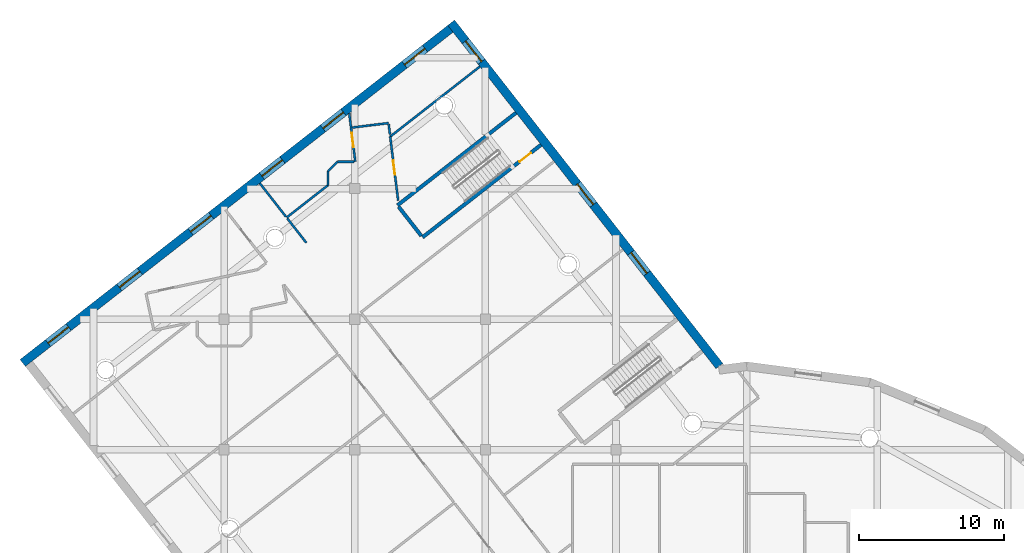
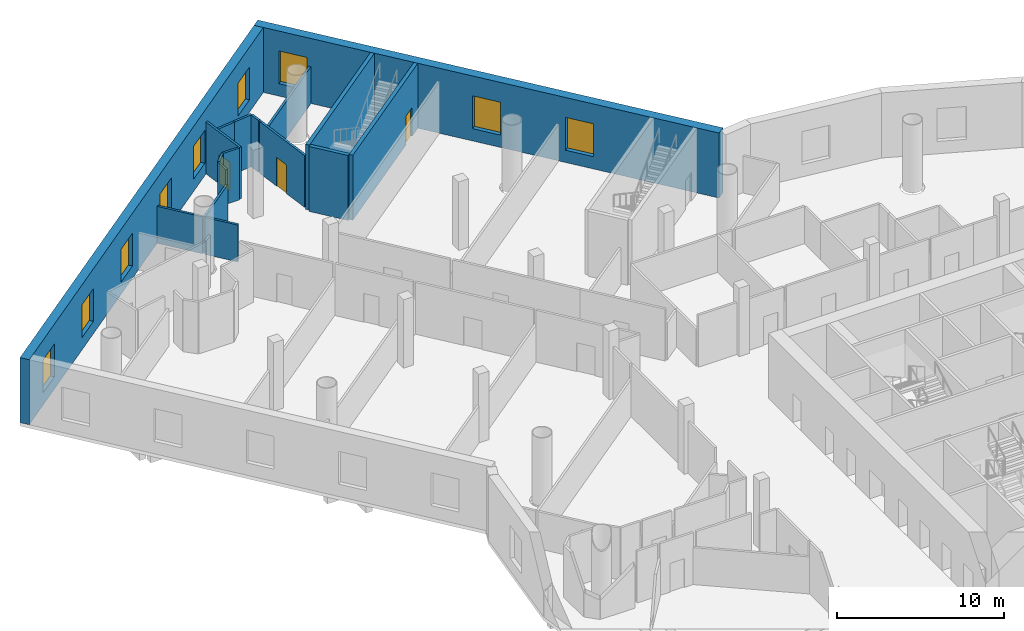
# One storey, part 11 of 22: 17 walls, 9 windows, 3 doors, 12 openings.
"""IFC4 building model written with IfcOpenShell, lengths in metres."""

from ifc_helpers import new_model, si_unit, direction, frame, frame_2d, origin, place, context, subcontext, project, spatial, rectangle, extrude, material, layer, layer_set, type_object, element, fill, save


model = new_model("IFC4")

# Units and contexts
model_context = context("Model", 3, precision=1e-05, world=origin(), true_north=direction((0.0, 1.0)))
body_context = subcontext(model_context, "Body", "Model", "MODEL_VIEW")
ifc_project = project(units=[si_unit("LENGTHUNIT", "METRE"), si_unit("AREAUNIT", "SQUARE_METRE"), si_unit("VOLUMEUNIT", "CUBIC_METRE"), si_unit("PLANEANGLEUNIT", "RADIAN"), si_unit("MASSUNIT", "GRAM", prefix="KILO")], contexts=[model_context])

# Site, building, storey
site_placement = place(None, origin())
site = spatial("IfcSite", under=ifc_project, at=site_placement, CompositionType="ELEMENT")
building_placement = place(site_placement, origin())
building = spatial("IfcBuilding", under=site, at=building_placement, Name="Tarsis Ring Headquarters", CompositionType="ELEMENT")
storey_placement = place(building_placement, frame((0.0, 0.0, 25.0)))
storey = spatial("IfcBuildingStorey", under=building, at=storey_placement, Name="L04", CompositionType="ELEMENT", Elevation=25.0)

# Walls
ifc_material_1 = material(Name="Plasterboard partition")
ifc_layer_1 = layer(ifc_material_1, 0.14990234375)
ifc_layer_set_1 = layer_set([ifc_layer_1], Name="PO-PW150")
wall_type_1 = type_object("IfcWallType", Name="PO-PW150", PredefinedType="PARTITIONING", material=ifc_layer_set_1)
wall_1_placement = place(storey_placement, frame((-18.376953125, 53.407958984375, 0.0), z_axis=(0.0, 0.0, 1.0), x_axis=(-0.787999361377, -0.615676056436, 0.0)))
element("IfcWall", 1, at=wall_1_placement, inside=storey, type_object=wall_type_1, Name="L04 partition wall 38", PredefinedType="PARTITIONING", context=body_context, shape_type="SweptSolid", body=[
    extrude(rectangle(XDim=7.84326171875, YDim=0.14990234375, at=frame_2d((3.921630859375, 0.0))), origin(), (0.0, 0.0, 1.0), 2.699951171875),
])
wall_2_placement = place(storey_placement, frame((-31.6943359375, 43.003173828125, 0.0), z_axis=(0.0, 0.0, 1.0), x_axis=(0.787977201516, 0.615704417631, 0.0)))
element("IfcWall", 2, at=wall_2_placement, inside=storey, type_object=wall_type_1, Name="L04 partition wall 85", PredefinedType="PARTITIONING", context=body_context, shape_type="SweptSolid", body=[
    extrude(rectangle(XDim=3.609619140625, YDim=0.14990234375, at=frame_2d((1.8046875, 0.0))), origin(), (0.0, 0.0, 1.0), 2.699951171875),
])
wall_3_placement = place(storey_placement, frame((-31.744384765625, 43.065673828125, 0.0), z_axis=(0.0, 0.0, 1.0), x_axis=(-0.615629439057, 0.788035782034, 0.0)))
element("IfcWall", 3, at=wall_3_placement, inside=storey, type_object=wall_type_1, Name="L04 partition wall 89", PredefinedType="PARTITIONING", context=body_context, shape_type="SweptSolid", body=[
    extrude(rectangle(XDim=2.919921875, YDim=0.14990234375, at=frame_2d((1.4599609375, 0.0))), origin(), (0.0, 0.0, 1.0), 2.699951171875),
])
wall_4_placement = place(storey_placement, frame((-30.337158203125, 41.264404296875, 0.0), z_axis=(0.0, 0.0, 1.0), x_axis=(-0.61557717946, 0.788076605495, 0.0)))
element("IfcWall", 4, at=wall_4_placement, inside=storey, type_object=wall_type_1, Name="L04 partition wall 112", PredefinedType="PARTITIONING", context=body_context, shape_type="SweptSolid", body=[
    extrude(rectangle(XDim=2.125732421875, YDim=0.14990234375, at=frame_2d((1.06298828125, 0.0))), origin(), (0.0, 0.0, 1.0), 2.699951171875),
])

# Wall, opening, door
ifc_layer_2 = layer(ifc_material_1, 0.14990234375)
ifc_layer_set_2 = layer_set([ifc_layer_2], Name="PO-PW150R-3783")
wall_type_2 = type_object("IfcWallType", Name="PO-PW150R-3783", PredefinedType="PARTITIONING", material=ifc_layer_set_2)
wall_5_placement = place(storey_placement, frame((-24.557373046875, 48.5791015625, 0.0), z_axis=(0.0, 0.0, 1.0), x_axis=(0.123176310789, -0.992384802615, 0.0)))
wall_5 = element("IfcWall", 5, at=wall_5_placement, inside=storey, type_object=wall_type_2, Name="L04 partition wall 72", PredefinedType="PARTITIONING", context=body_context, shape_type="SweptSolid", body=[
    extrude(rectangle(XDim=4.44580078125, YDim=0.14990234375, at=frame_2d((2.222900390625, 0.0))), origin(), (0.0, 0.0, 1.0), 3.782958984375),
])
opening_1_placement = place(wall_5_placement, frame((1.65673828125, 0.0, 0.0)))
opening_1 = element("IfcOpeningElement", 6, at=opening_1_placement, cuts=wall_5, Name="Opening PO-D1", PredefinedType="OPENING", context=body_context, shape_type="SweptSolid", body=[
    extrude(rectangle(XDim=1.0, YDim=2.10009765625, at=frame_2d((0.5, 1.050048828125))), frame((0.0, 0.0849609375, 0.0), z_axis=(0.0, -1.0, 0.0), x_axis=(1.0, 0.0, 0.0)), (0.0, 0.0, 1.0), 0.169921875),
])
ifc_material_2 = material(Name="Timber door", Category="wood")
door_type_1 = type_object("IfcDoorType", Name="PO-D1000", OperationType="NOTDEFINED", PredefinedType="DOOR", material=ifc_material_2)
door_1_placement = place(opening_1_placement, origin())
door_1 = element("IfcDoor", 7, at=door_1_placement, inside=storey, type_object=door_type_1, Name="Changing room door", OperationType="SINGLE_SWING_LEFT", OverallHeight=2.10009765625, OverallWidth=1.0, PredefinedType="DOOR", context=body_context, shape_type="SweptSolid", body=[
    extrude(rectangle(XDim=1.0, YDim=2.10009765625, at=frame_2d((0.5, 1.050048828125))), frame((0.0, 0.02490234375, 0.0), z_axis=(0.0, -1.0, 0.0), x_axis=(1.0, 0.0, 0.0)), (0.0, 0.0, 1.0), 0.050048828125),
])
fill(opening_1, door_1)

wall_6_placement = place(storey_placement, frame((-26.962646484375, 46.85009765625, 0.0), z_axis=(0.0, 0.0, 1.0), x_axis=(-0.123193829967, 0.992382627951, 0.0)))
wall_6 = element("IfcWall", 8, at=wall_6_placement, inside=storey, type_object=wall_type_2, Name="L04 partition wall 86", PredefinedType="PARTITIONING", context=body_context, shape_type="SweptSolid", body=[
    extrude(rectangle(XDim=3.359130859375, YDim=0.14990234375, at=frame_2d((1.6796875, 0.0))), origin(), (0.0, 0.0, 1.0), 3.782958984375),
])
opening_2_placement = place(wall_6_placement, frame((1.017578125, 0.0, 0.0)))
opening_2 = element("IfcOpeningElement", 9, at=opening_2_placement, cuts=wall_6, Name="Opening PO-D1", PredefinedType="OPENING", context=body_context, shape_type="SweptSolid", body=[
    extrude(rectangle(XDim=1.0, YDim=2.10009765625, at=frame_2d((0.5, 1.050048828125))), frame((0.0, 0.0849609375, 0.0), z_axis=(0.0, -1.0, 0.0), x_axis=(1.0, 0.0, 0.0)), (0.0, 0.0, 1.0), 0.169921875),
])
door_2_placement = place(opening_2_placement, origin())
door_2 = element("IfcDoor", 10, at=door_2_placement, inside=storey, type_object=door_type_1, Name="Fitness office door", OperationType="SINGLE_SWING_RIGHT", OverallHeight=2.10009765625, OverallWidth=1.0, PredefinedType="DOOR", context=body_context, shape_type="SweptSolid", body=[
    extrude(rectangle(XDim=1.0, YDim=2.10009765625, at=frame_2d((0.5, 1.050048828125))), frame((0.0, 0.02490234375, 0.0), z_axis=(0.0, -1.0, 0.0), x_axis=(1.0, 0.0, 0.0)), (0.0, 0.0, 1.0), 0.050048828125),
])
fill(opening_2, door_2)

# Walls
wall_7_placement = place(storey_placement, frame((-27.174072265625, 49.2021484375, 0.0), z_axis=(0.0, 0.0, 1.0), x_axis=(0.99237302269, 0.123271180072, 0.0)))
element("IfcWall", 11, at=wall_7_placement, inside=storey, type_object=wall_type_2, Name="L04 partition wall 127", PredefinedType="PARTITIONING", context=body_context, shape_type="SweptSolid", body=[
    extrude(rectangle(XDim=1.219970703125, YDim=0.14990234375, at=frame_2d((0.60986328125, 0.0))), origin(), (0.0, 0.0, 1.0), 3.782958984375),
])
wall_8_placement = place(storey_placement, frame((-25.96337890625, 49.3525390625, 0.0), z_axis=(0.0, 0.0, 1.0), x_axis=(0.992381544958, 0.123202553651, 0.0)))
element("IfcWall", 12, at=wall_8_placement, inside=storey, type_object=wall_type_2, Name="L04 partition wall 128", PredefinedType="PARTITIONING", context=body_context, shape_type="SweptSolid", body=[
    extrude(rectangle(XDim=1.300048828125, YDim=0.14990234375, at=frame_2d((0.64990234375, 0.0))), origin(), (0.0, 0.0, 1.0), 3.782958984375),
])
wall_9_placement = place(storey_placement, frame((-28.199951171875, 46.85009765625, 0.0), z_axis=(0.0, 0.0, 1.0), x_axis=(1.0, 0.0, 0.0)))
element("IfcWall", 13, at=wall_9_placement, inside=storey, type_object=wall_type_2, Name="L04 partition wall 131", PredefinedType="PARTITIONING", context=body_context, shape_type="SweptSolid", body=[
    extrude(rectangle(XDim=1.147216796875, YDim=0.14990234375, at=frame_2d((0.57373046875, 0.0))), origin(), (0.0, 0.0, 1.0), 3.782958984375),
])
wall_10_placement = place(storey_placement, frame((-28.85009765625, 45.2255859375, 0.0), z_axis=(0.0, 0.0, 1.0), x_axis=(0.0, 1.0, 0.0)))
element("IfcWall", 14, at=wall_10_placement, inside=storey, type_object=wall_type_2, Name="L04 partition wall 142", PredefinedType="PARTITIONING", context=body_context, shape_type="SweptSolid", body=[
    extrude(rectangle(XDim=0.974365234375, YDim=0.14990234375, at=frame_2d((0.4873046875, 0.0))), origin(), (0.0, 0.0, 1.0), 3.782958984375),
])
wall_11_placement = place(storey_placement, frame((-24.66357421875, 49.433349609375, 0.0), z_axis=(0.0, 0.0, 1.0), x_axis=(0.123284363189, -0.992371385013, 0.0)))
element("IfcWall", 15, at=wall_11_placement, inside=storey, type_object=wall_type_2, Name="L04 partition wall 144", PredefinedType="PARTITIONING", context=body_context, shape_type="SweptSolid", body=[
    extrude(rectangle(XDim=0.720947265625, YDim=0.14990234375, at=frame_2d((0.3603515625, 0.0))), origin(), (0.0, 0.0, 1.0), 3.782958984375),
])
wall_12_placement = place(storey_placement, frame((-28.85009765625, 46.199951171875, 0.0), z_axis=(0.0, 0.0, 1.0), x_axis=(0.707106781187, 0.707106781187, 0.0)))
element("IfcWall", 16, at=wall_12_placement, inside=storey, type_object=wall_type_2, Name="L04 partition wall 146", PredefinedType="PARTITIONING", context=body_context, shape_type="SweptSolid", body=[
    extrude(rectangle(XDim=0.91943359375, YDim=0.14990234375, at=frame_2d((0.459716796875, 0.0))), origin(), (0.0, 0.0, 1.0), 3.782958984375),
])

# Wall, opening, door
ifc_material_3 = material(Name="Concrete C40/50", Category="concrete")
ifc_layer_3 = layer(ifc_material_3, 0.25)
ifc_layer_set_3 = layer_set([ifc_layer_3], Name="PO-W250")
wall_type_3 = type_object("IfcWallType", Name="PO-W250", PredefinedType="SOLIDWALL", material=ifc_layer_set_3)
wall_13_placement = place(storey_placement, frame((-14.163818359375, 48.015380859375, 0.0), z_axis=(0.0, 0.0, 1.0), x_axis=(-0.788278990398, -0.61531799364, 0.0)))
wall_13 = element("IfcWall", 17, at=wall_13_placement, inside=storey, type_object=wall_type_3, Name="L04 shaft wall 23", PredefinedType="SOLIDWALL", context=body_context, shape_type="SweptSolid", body=[
    extrude(rectangle(XDim=10.362060546875, YDim=0.25, at=frame_2d((5.18115234375, 0.0))), origin(), (0.0, 0.0, 1.0), 4.75),
])
opening_3_placement = place(wall_13_placement, frame((0.89697265625, 0.0, 0.0)))
opening_3 = element("IfcOpeningElement", 18, at=opening_3_placement, cuts=wall_13, Name="Opening PO-D3", PredefinedType="OPENING", context=body_context, shape_type="SweptSolid", body=[
    extrude(rectangle(XDim=1.0, YDim=2.10009765625, at=frame_2d((0.5, 1.050048828125))), frame((0.0, 0.135009765625, 0.0), z_axis=(0.0, -1.0, 0.0), x_axis=(1.0, 0.0, 0.0)), (0.0, 0.0, 1.0), 0.27001953125),
])
ifc_material_4 = material(Name="Steel fire door", Category="steel")
door_type_2 = type_object("IfcDoorType", Name="PO-D1000F", OperationType="SINGLE_SWING_LEFT", PredefinedType="DOOR", material=ifc_material_4)
door_3_placement = place(opening_3_placement, origin())
door_3 = element("IfcDoor", 19, at=door_3_placement, inside=storey, type_object=door_type_2, Name="Exit stair 4 door", OperationType="SINGLE_SWING_LEFT", OverallHeight=2.10009765625, OverallWidth=1.0, PredefinedType="DOOR", context=body_context, shape_type="SweptSolid", body=[
    extrude(rectangle(XDim=1.0, YDim=2.10009765625, at=frame_2d((0.5, 1.050048828125))), frame((0.0, 0.02490234375, 0.0), z_axis=(0.0, -1.0, 0.0), x_axis=(1.0, 0.0, 0.0)), (0.0, 0.0, 1.0), 0.050048828125),
])
fill(opening_3, door_3)

# Walls
wall_14_placement = place(storey_placement, frame((-24.054931640625, 43.8466796875, 0.0), z_axis=(0.0, 0.0, 1.0), x_axis=(0.788277592166, 0.615319784899, 0.0)))
element("IfcWall", 20, at=wall_14_placement, inside=storey, type_object=wall_type_3, Name="L04 shaft wall 24", PredefinedType="SOLIDWALL", context=body_context, shape_type="SweptSolid", body=[
    extrude(rectangle(XDim=10.36083984375, YDim=0.25, at=frame_2d((5.180419921875, 0.0))), origin(), (0.0, 0.0, 1.0), 4.75),
])
wall_15_placement = place(storey_placement, frame((-22.412109375, 41.741943359375, 0.0), z_axis=(0.0, 0.0, 1.0), x_axis=(-0.615283967859, 0.788305549197, 0.0)))
element("IfcWall", 21, at=wall_15_placement, inside=storey, type_object=wall_type_3, Name="L04 shaft wall 94", PredefinedType="SOLIDWALL", context=body_context, shape_type="SweptSolid", body=[
    extrude(rectangle(XDim=2.539794921875, YDim=0.25, at=frame_2d((1.27001953125, 0.0))), origin(), (0.0, 0.0, 1.0), 4.75),
])

# Wall, openings, windows
ifc_material_5 = material(Name="Concrete C60/75", Category="concrete")
ifc_layer_4 = layer(ifc_material_5, 0.60009765625)
ifc_layer_set_4 = layer_set([ifc_layer_4], Name="PO-W600")
wall_type_4 = type_object("IfcWallType", Name="PO-W600", PredefinedType="SOLIDWALL", material=ifc_layer_set_4)
wall_16_placement = place(storey_placement, frame((-1.87353515625, 32.77197265625, 0.0), z_axis=(0.0, 0.0, 1.0), x_axis=(-0.615664714742, 0.788008222687, 0.0)))
wall_16 = element("IfcWall", 22, at=wall_16_placement, inside=storey, type_object=wall_type_4, Name="L04 external wall 23", PredefinedType="SOLIDWALL", context=body_context, shape_type="SweptSolid", body=[
    extrude(rectangle(XDim=30.02197265625, YDim=0.60009765625, at=frame_2d((15.010986328125, 0.0))), origin(), (0.0, 0.0, 1.0), 4.75),
])
opening_4_placement = place(wall_16_placement, frame((8.106689453125, 0.0, 0.89990234375)))
opening_4 = element("IfcOpeningElement", 23, at=opening_4_placement, cuts=wall_16, Name="Opening PO-WN1", PredefinedType="OPENING", context=body_context, shape_type="SweptSolid", body=[
    extrude(rectangle(XDim=1.800048828125, YDim=2.39990234375, at=frame_2d((0.89990234375, 1.199951171875))), frame((0.0, 0.31005859375, 0.0), z_axis=(0.0, -1.0, 0.0), x_axis=(1.0, 0.0, 0.0)), (0.0, 0.0, 1.0), 0.6201171875),
])
opening_5_placement = place(wall_16_placement, frame((14.111083984375, 0.0, 0.89990234375)))
opening_5 = element("IfcOpeningElement", 24, at=opening_5_placement, cuts=wall_16, Name="Opening PO-WN1", PredefinedType="OPENING", context=body_context, shape_type="SweptSolid", body=[
    extrude(rectangle(XDim=1.800048828125, YDim=2.39990234375, at=frame_2d((0.89990234375, 1.199951171875))), frame((0.0, 0.31005859375, 0.0), z_axis=(0.0, -1.0, 0.0), x_axis=(1.0, 0.0, 0.0)), (0.0, 0.0, 1.0), 0.6201171875),
])
opening_6_placement = place(wall_16_placement, frame((26.61962890625, 0.0, 0.89990234375)))
opening_6 = element("IfcOpeningElement", 25, at=opening_6_placement, cuts=wall_16, Name="Opening PO-WN1", PredefinedType="OPENING", context=body_context, shape_type="SweptSolid", body=[
    extrude(rectangle(XDim=1.800048828125, YDim=2.39990234375, at=frame_2d((0.89990234375, 1.199951171875))), frame((0.0, 0.31005859375, 0.0), z_axis=(0.0, -1.0, 0.0), x_axis=(1.0, 0.0, 0.0)), (0.0, 0.0, 1.0), 0.6201171875),
])
ifc_material_6 = material(Name="Double glazing", Category="glass")
window_type = type_object("IfcWindowType", Name="PO-WN1800", PartitioningType="SINGLE_PANEL", PredefinedType="WINDOW", material=ifc_material_6)
window_1_placement = place(opening_4_placement, origin())
window_1 = element("IfcWindow", 26, at=window_1_placement, inside=storey, type_object=window_type, Name="L04 window 23.1", OverallHeight=2.39990234375, OverallWidth=1.800048828125, PartitioningType="SINGLE_PANEL", PredefinedType="WINDOW", context=body_context, shape_type="SweptSolid", body=[
    extrude(rectangle(XDim=1.800048828125, YDim=2.39990234375, at=frame_2d((0.89990234375, 1.199951171875))), frame((0.0, 0.030029296875, 0.0), z_axis=(0.0, -1.0, 0.0), x_axis=(1.0, 0.0, 0.0)), (0.0, 0.0, 1.0), 0.06005859375),
])
fill(opening_4, window_1)
window_2_placement = place(opening_5_placement, origin())
window_2 = element("IfcWindow", 27, at=window_2_placement, inside=storey, type_object=window_type, Name="L04 window 23.2", OverallHeight=2.39990234375, OverallWidth=1.800048828125, PartitioningType="SINGLE_PANEL", PredefinedType="WINDOW", context=body_context, shape_type="SweptSolid", body=[
    extrude(rectangle(XDim=1.800048828125, YDim=2.39990234375, at=frame_2d((0.89990234375, 1.199951171875))), frame((0.0, 0.030029296875, 0.0), z_axis=(0.0, -1.0, 0.0), x_axis=(1.0, 0.0, 0.0)), (0.0, 0.0, 1.0), 0.06005859375),
])
fill(opening_5, window_2)
window_3_placement = place(opening_6_placement, origin())
window_3 = element("IfcWindow", 28, at=window_3_placement, inside=storey, type_object=window_type, Name="L04 window 23.3", OverallHeight=2.39990234375, OverallWidth=1.800048828125, PartitioningType="SINGLE_PANEL", PredefinedType="WINDOW", context=body_context, shape_type="SweptSolid", body=[
    extrude(rectangle(XDim=1.800048828125, YDim=2.39990234375, at=frame_2d((0.89990234375, 1.199951171875))), frame((0.0, 0.030029296875, 0.0), z_axis=(0.0, -1.0, 0.0), x_axis=(1.0, 0.0, 0.0)), (0.0, 0.0, 1.0), 0.06005859375),
])
fill(opening_6, window_3)

wall_17_placement = place(storey_placement, frame((-20.40869140625, 56.00830078125, 0.0), z_axis=(0.0, 0.0, 1.0), x_axis=(-0.788010419186, -0.615661903365, 0.0)))
wall_17 = element("IfcWall", 29, at=wall_17_placement, inside=storey, type_object=wall_type_4, Name="L04 external wall 24", PredefinedType="SOLIDWALL", context=body_context, shape_type="SweptSolid", body=[
    extrude(rectangle(XDim=37.39990234375, YDim=0.60009765625, at=frame_2d((18.699951171875, 0.0))), origin(), (0.0, 0.0, 1.0), 4.75),
])
opening_7_placement = place(wall_17_placement, frame((2.216552734375, 0.0, 0.89990234375)))
opening_7 = element("IfcOpeningElement", 30, at=opening_7_placement, cuts=wall_17, Name="Opening PO-WN1", PredefinedType="OPENING", context=body_context, shape_type="SweptSolid", body=[
    extrude(rectangle(XDim=1.800048828125, YDim=2.39990234375, at=frame_2d((0.89990234375, 1.199951171875))), frame((0.0, 0.31005859375, 0.0), z_axis=(0.0, -1.0, 0.0), x_axis=(1.0, 0.0, 0.0)), (0.0, 0.0, 1.0), 0.6201171875),
])
opening_8_placement = place(wall_17_placement, frame((9.35009765625, 0.0, 0.89990234375)))
opening_8 = element("IfcOpeningElement", 31, at=opening_8_placement, cuts=wall_17, Name="Opening PO-WN1", PredefinedType="OPENING", context=body_context, shape_type="SweptSolid", body=[
    extrude(rectangle(XDim=1.800048828125, YDim=2.39990234375, at=frame_2d((0.89990234375, 1.199951171875))), frame((0.0, 0.31005859375, 0.0), z_axis=(0.0, -1.0, 0.0), x_axis=(1.0, 0.0, 0.0)), (0.0, 0.0, 1.0), 0.6201171875),
])
opening_9_placement = place(wall_17_placement, frame((14.683349609375, 0.0, 0.89990234375)))
opening_9 = element("IfcOpeningElement", 32, at=opening_9_placement, cuts=wall_17, Name="Opening PO-WN1", PredefinedType="OPENING", context=body_context, shape_type="SweptSolid", body=[
    extrude(rectangle(XDim=1.800048828125, YDim=2.39990234375, at=frame_2d((0.89990234375, 1.199951171875))), frame((0.0, 0.31005859375, 0.0), z_axis=(0.0, -1.0, 0.0), x_axis=(1.0, 0.0, 0.0)), (0.0, 0.0, 1.0), 0.6201171875),
])
opening_10_placement = place(wall_17_placement, frame((20.916748046875, 0.0, 0.89990234375)))
opening_10 = element("IfcOpeningElement", 33, at=opening_10_placement, cuts=wall_17, Name="Opening PO-WN1", PredefinedType="OPENING", context=body_context, shape_type="SweptSolid", body=[
    extrude(rectangle(XDim=1.800048828125, YDim=2.39990234375, at=frame_2d((0.89990234375, 1.199951171875))), frame((0.0, 0.31005859375, 0.0), z_axis=(0.0, -1.0, 0.0), x_axis=(1.0, 0.0, 0.0)), (0.0, 0.0, 1.0), 0.6201171875),
])
opening_11_placement = place(wall_17_placement, frame((27.14990234375, 0.0, 0.89990234375)))
opening_11 = element("IfcOpeningElement", 34, at=opening_11_placement, cuts=wall_17, Name="Opening PO-WN1", PredefinedType="OPENING", context=body_context, shape_type="SweptSolid", body=[
    extrude(rectangle(XDim=1.800048828125, YDim=2.39990234375, at=frame_2d((0.89990234375, 1.199951171875))), frame((0.0, 0.31005859375, 0.0), z_axis=(0.0, -1.0, 0.0), x_axis=(1.0, 0.0, 0.0)), (0.0, 0.0, 1.0), 0.6201171875),
])
opening_12_placement = place(wall_17_placement, frame((33.38330078125, 0.0, 0.89990234375)))
opening_12 = element("IfcOpeningElement", 35, at=opening_12_placement, cuts=wall_17, Name="Opening PO-WN1", PredefinedType="OPENING", context=body_context, shape_type="SweptSolid", body=[
    extrude(rectangle(XDim=1.800048828125, YDim=2.39990234375, at=frame_2d((0.89990234375, 1.199951171875))), frame((0.0, 0.31005859375, 0.0), z_axis=(0.0, -1.0, 0.0), x_axis=(1.0, 0.0, 0.0)), (0.0, 0.0, 1.0), 0.6201171875),
])
window_4_placement = place(opening_7_placement, origin())
window_4 = element("IfcWindow", 36, at=window_4_placement, inside=storey, type_object=window_type, Name="L04 window 24.1", OverallHeight=2.39990234375, OverallWidth=1.800048828125, PartitioningType="SINGLE_PANEL", PredefinedType="WINDOW", context=body_context, shape_type="SweptSolid", body=[
    extrude(rectangle(XDim=1.800048828125, YDim=2.39990234375, at=frame_2d((0.89990234375, 1.199951171875))), frame((0.0, 0.030029296875, 0.0), z_axis=(0.0, -1.0, 0.0), x_axis=(1.0, 0.0, 0.0)), (0.0, 0.0, 1.0), 0.06005859375),
])
fill(opening_7, window_4)
window_5_placement = place(opening_8_placement, origin())
window_5 = element("IfcWindow", 37, at=window_5_placement, inside=storey, type_object=window_type, Name="L04 window 24.2", OverallHeight=2.39990234375, OverallWidth=1.800048828125, PartitioningType="SINGLE_PANEL", PredefinedType="WINDOW", context=body_context, shape_type="SweptSolid", body=[
    extrude(rectangle(XDim=1.800048828125, YDim=2.39990234375, at=frame_2d((0.89990234375, 1.199951171875))), frame((0.0, 0.030029296875, 0.0), z_axis=(0.0, -1.0, 0.0), x_axis=(1.0, 0.0, 0.0)), (0.0, 0.0, 1.0), 0.06005859375),
])
fill(opening_8, window_5)
window_6_placement = place(opening_9_placement, origin())
window_6 = element("IfcWindow", 38, at=window_6_placement, inside=storey, type_object=window_type, Name="L04 window 24.3", OverallHeight=2.39990234375, OverallWidth=1.800048828125, PartitioningType="SINGLE_PANEL", PredefinedType="WINDOW", context=body_context, shape_type="SweptSolid", body=[
    extrude(rectangle(XDim=1.800048828125, YDim=2.39990234375, at=frame_2d((0.89990234375, 1.199951171875))), frame((0.0, 0.030029296875, 0.0), z_axis=(0.0, -1.0, 0.0), x_axis=(1.0, 0.0, 0.0)), (0.0, 0.0, 1.0), 0.06005859375),
])
fill(opening_9, window_6)
window_7_placement = place(opening_10_placement, origin())
window_7 = element("IfcWindow", 39, at=window_7_placement, inside=storey, type_object=window_type, Name="L04 window 24.4", OverallHeight=2.39990234375, OverallWidth=1.800048828125, PartitioningType="SINGLE_PANEL", PredefinedType="WINDOW", context=body_context, shape_type="SweptSolid", body=[
    extrude(rectangle(XDim=1.800048828125, YDim=2.39990234375, at=frame_2d((0.89990234375, 1.199951171875))), frame((0.0, 0.030029296875, 0.0), z_axis=(0.0, -1.0, 0.0), x_axis=(1.0, 0.0, 0.0)), (0.0, 0.0, 1.0), 0.06005859375),
])
fill(opening_10, window_7)
window_8_placement = place(opening_11_placement, origin())
window_8 = element("IfcWindow", 40, at=window_8_placement, inside=storey, type_object=window_type, Name="L04 window 24.5", OverallHeight=2.39990234375, OverallWidth=1.800048828125, PartitioningType="SINGLE_PANEL", PredefinedType="WINDOW", context=body_context, shape_type="SweptSolid", body=[
    extrude(rectangle(XDim=1.800048828125, YDim=2.39990234375, at=frame_2d((0.89990234375, 1.199951171875))), frame((0.0, 0.030029296875, 0.0), z_axis=(0.0, -1.0, 0.0), x_axis=(1.0, 0.0, 0.0)), (0.0, 0.0, 1.0), 0.06005859375),
])
fill(opening_11, window_8)
window_9_placement = place(opening_12_placement, origin())
window_9 = element("IfcWindow", 41, at=window_9_placement, inside=storey, type_object=window_type, Name="L04 window 24.6", OverallHeight=2.39990234375, OverallWidth=1.800048828125, PartitioningType="SINGLE_PANEL", PredefinedType="WINDOW", context=body_context, shape_type="SweptSolid", body=[
    extrude(rectangle(XDim=1.800048828125, YDim=2.39990234375, at=frame_2d((0.89990234375, 1.199951171875))), frame((0.0, 0.030029296875, 0.0), z_axis=(0.0, -1.0, 0.0), x_axis=(1.0, 0.0, 0.0)), (0.0, 0.0, 1.0), 0.06005859375),
])
fill(opening_12, window_9)

save(model, "model.ifc")
